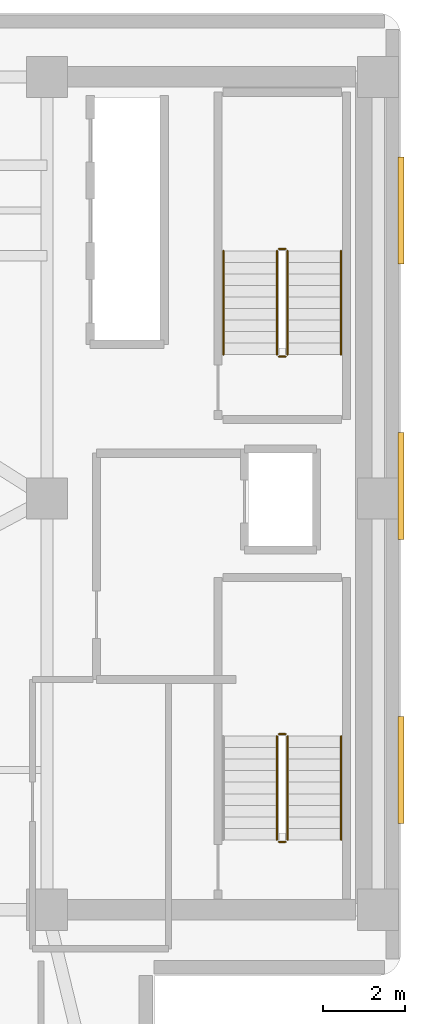
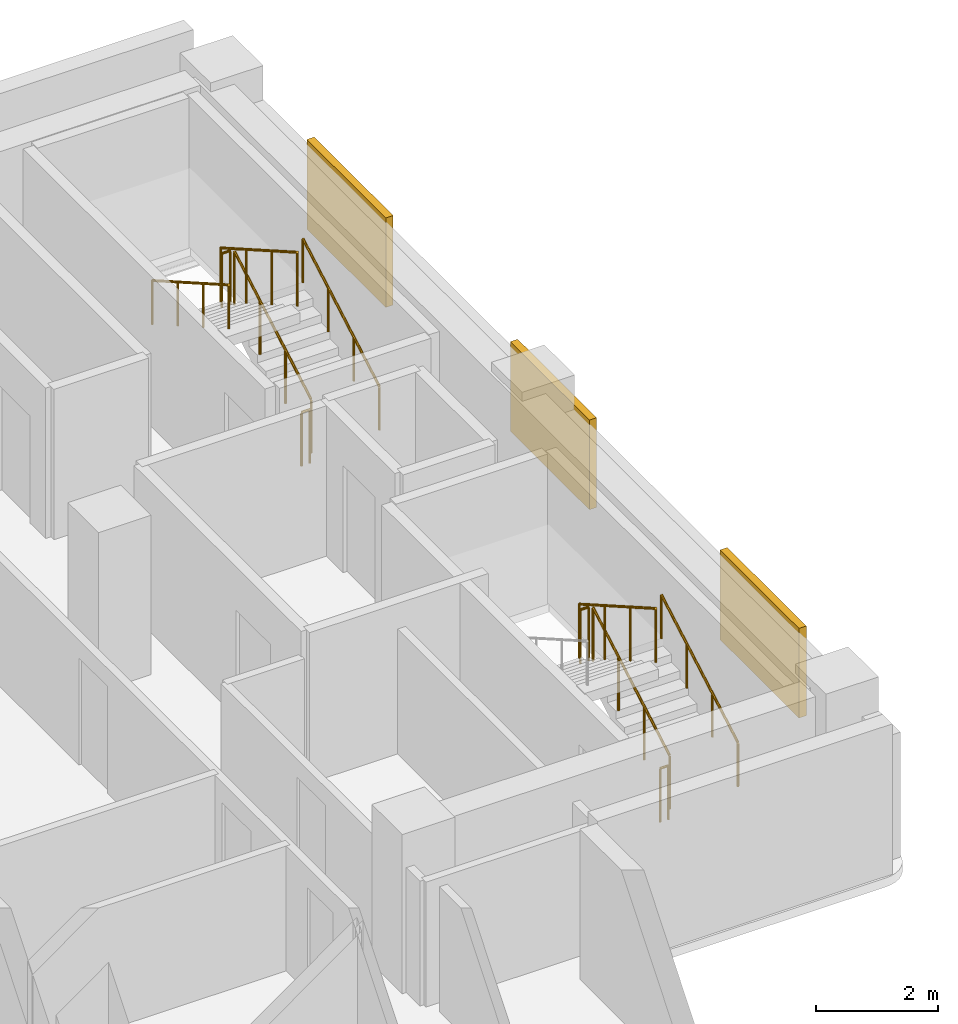
# One storey, part 17 of 17: 11 railings, 3 shading devices.
"""IFC4 building model written with IfcOpenShell, lengths in metres."""

import ifcopenshell
import ifcopenshell.guid

model = None  # the IFC model being written
_history = None  # IfcOwnerHistory: only IFC2X3 demands one
_inside = {}  # id of a spatial element -> (the spatial element, [elements in it])
_under = {}  # id of a project, library or spatial element -> (it, [spatial elements below it])
_declared = {}  # id of a project -> (the project, [libraries it declares])
_typed = {}  # id of a type object -> (the type object, [elements of that type])
_made_of = {}  # id of a material, layer set ... -> (it, [elements and type objects made of it])


def new_model(schema):
    """Start an empty IFC model of exactly this schema.

    Asked for "IFC4X3", IfcOpenShell would pick the latest addendum, in which some entities
    have other attributes; the version numbers below select the first issue.
    IFC2X3 requires an IfcOwnerHistory on every rooted entity: one is made here for all.
    """
    global model, _history
    if schema == "IFC4X3":
        model = ifcopenshell.file(schema_version=(4, 3, 0, 0))
    else:
        model = ifcopenshell.file(schema=schema)
    _inside.clear()
    _under.clear()
    _declared.clear()
    _typed.clear()
    _made_of.clear()
    _history = None
    if model.schema == "IFC2X3":
        org = make("IfcOrganization", Name="unknown")
        user = make(
            "IfcPersonAndOrganization",
            ThePerson=make("IfcPerson", FamilyName="unknown"),
            TheOrganization=org,
        )
        app = make(
            "IfcApplication",
            ApplicationDeveloper=org,
            Version="unknown",
            ApplicationFullName="unknown",
            ApplicationIdentifier="unknown",
        )
        _history = make(
            "IfcOwnerHistory",
            OwningUser=user,
            OwningApplication=app,
            ChangeAction="ADDED",
            CreationDate=0,
        )
    return model


def make(cls, **values):
    """One entity of the class cls with the attributes given. An attribute that is None is left unset."""
    return model.create_entity(
        cls, **{name: value for name, value in values.items() if value is not None}
    )


def rooted(cls, **values):
    """An entity with a GlobalId (a new one), such as an element, a storey or a relation."""
    return make(cls, GlobalId=ifcopenshell.guid.new(), OwnerHistory=_history, **values)


def si_unit(unit_type, name, prefix=None):
    """IfcSIUnit, for example si_unit("LENGTHUNIT", "METRE", prefix="MILLI")."""
    return make("IfcSIUnit", UnitType=unit_type, Prefix=prefix, Name=name)


def assignment(units):
    """IfcUnitAssignment: the units of a project."""
    return None if units is None else make("IfcUnitAssignment", Units=units)


def point(xyz):
    """IfcCartesianPoint."""
    return None if xyz is None else make("IfcCartesianPoint", Coordinates=xyz)


def direction(xyz):
    """IfcDirection."""
    return None if xyz is None else make("IfcDirection", DirectionRatios=xyz)


def frame(location, z_axis=None, x_axis=None):
    """IfcAxis2Placement3D, a coordinate frame: its origin and axes. An axis left out is left unset."""
    return make(
        "IfcAxis2Placement3D",
        Location=point(location),
        Axis=direction(z_axis),
        RefDirection=direction(x_axis),
    )


def frame_2d(location, x_axis=None):
    """IfcAxis2Placement2D, a coordinate frame in the plane: its origin and x axis."""
    return make(
        "IfcAxis2Placement2D", Location=point(location), RefDirection=direction(x_axis)
    )


def origin():
    """The frame at (0, 0, 0) with its axes left unset."""
    return frame((0.0, 0.0, 0.0))


def origin_2d():
    """The frame at (0, 0) in the plane with its x axis left unset."""
    return frame_2d((0.0, 0.0))


def place(relative_to, where):
    """IfcLocalPlacement: puts the frame where relative to a parent placement (None: the world)."""
    return make(
        "IfcLocalPlacement", PlacementRelTo=relative_to, RelativePlacement=where
    )


def context(
    kind, dimensions, precision=None, world=None, true_north=None, identifier=None
):
    """IfcGeometricRepresentationContext, for example the 3D "Model" context."""
    return make(
        "IfcGeometricRepresentationContext",
        ContextIdentifier=identifier,
        ContextType=kind,
        CoordinateSpaceDimension=dimensions,
        Precision=precision,
        WorldCoordinateSystem=world,
        TrueNorth=true_north,
    )


def subcontext(parent, identifier, kind, view, scale=None):
    """IfcGeometricRepresentationSubContext, for example "Body" below "Model"."""
    return make(
        "IfcGeometricRepresentationSubContext",
        ContextIdentifier=identifier,
        ContextType=kind,
        ParentContext=parent,
        TargetScale=scale,
        TargetView=view,
    )


def project(units=None, contexts=None):
    """IfcProject with its units and contexts."""
    return rooted(
        "IfcProject",
        Name="project",
        RepresentationContexts=contexts,
        UnitsInContext=assignment(units),
    )


def spatial(cls, under=None, at=None, **own):
    """A site, building, storey or space (cls), placed at a placement, below another one or the project."""
    s = rooted(cls, ObjectPlacement=at, **own)
    if under is not None:
        _under.setdefault(under.id(), (under, []))[1].append(s)
    return s


def profile(cls, at=None, kind="AREA", **sizes):
    """A parametric profile (cls). Its sizes go by their IFC names, for example OverallWidth=200.0."""
    return make(cls, ProfileType=kind, Position=at, **sizes)


def rectangle(**sizes):
    """IfcRectangleProfileDef."""
    return profile("IfcRectangleProfileDef", **sizes)


def circle(**sizes):
    """IfcCircleProfileDef."""
    return profile("IfcCircleProfileDef", **sizes)


def extrude(swept, where, along, depth):
    """IfcExtrudedAreaSolid: the profile swept, set in the frame where, extruded along a direction by depth."""
    return make(
        "IfcExtrudedAreaSolid",
        SweptArea=swept,
        Position=where,
        ExtrudedDirection=direction(along),
        Depth=depth,
    )


def shape(context_of_items, identifier, shape_type, items):
    """IfcShapeRepresentation: the items that make up one representation, for example the "Body"."""
    return make(
        "IfcShapeRepresentation",
        ContextOfItems=context_of_items,
        RepresentationIdentifier=identifier,
        RepresentationType=shape_type,
        Items=items,
    )


def material(Name=None, Category=None):
    """IfcMaterial."""
    return make("IfcMaterial", Name=Name, Category=Category)


def layer(
    of_material, thickness, ventilated=None, Name=None, Category=None, Priority=None
):
    """IfcMaterialLayer: one layer of a wall or slab, of a material (None: an air gap)."""
    return make(
        "IfcMaterialLayer",
        Material=of_material,
        LayerThickness=thickness,
        IsVentilated=ventilated,
        Name=Name,
        Category=Category,
        Priority=Priority,
    )


def layer_set(layers, Name=None):
    """IfcMaterialLayerSet."""
    return make("IfcMaterialLayerSet", MaterialLayers=layers, LayerSetName=Name)


def made_of(thing, what):
    """Note that an element or type object is made of a material, layer set ...; save() writes the relation."""
    if what is not None:
        _made_of.setdefault(what.id(), (what, []))[1].append(thing)
    return thing


def type_object(cls, material=None, **own):
    """A type object (cls), such as IfcWallType, which elements share."""
    return made_of(rooted(cls, **own), material)


def element(
    cls,
    number,
    at=None,
    inside=None,
    cuts=None,
    type_object=None,
    material=None,
    context=None,
    identifier="Body",
    shape_type=None,
    held_by="IfcProductDefinitionShape",
    body=None,
    shapes=None,
    **own,
):
    """One element of the class cls, such as IfcWall. Its Tag is "e" and its number.

    at: its placement. inside: the storey or other place that contains it. cuts: it is an
    opening in that element (IfcRelVoidsElement). A single representation is given by context,
    identifier, shape_type and body (its items); several are given by shapes. held_by: the class
    of the entity that holds the representations. save() writes the other relations.
    """
    e = rooted(cls, Tag="e%d" % number, ObjectPlacement=at, **own)
    if body is not None:
        shapes = [shape(context, identifier, shape_type, body)]
    if shapes is not None:
        e.Representation = make(held_by, Representations=shapes)
    if inside is not None:
        _inside.setdefault(inside.id(), (inside, []))[1].append(e)
    if cuts is not None:
        rooted(
            "IfcRelVoidsElement", RelatingBuildingElement=cuts, RelatedOpeningElement=e
        )
    if type_object is not None:
        _typed.setdefault(type_object.id(), (type_object, []))[1].append(e)
    return made_of(e, material)


def aggregate(whole, parts):
    """IfcRelAggregates: a whole, such as a stair, and the parts it consists of."""
    return rooted("IfcRelAggregates", RelatingObject=whole, RelatedObjects=parts)


def save(model, path):
    """Write the relations noted so far, then the file.

    IfcRelAggregates (storeys below a building ...), IfcRelContainedInSpatialStructure (elements
    in a storey), IfcRelDefinesByType, IfcRelAssociatesMaterial and IfcRelDeclares: one each for
    every whole, place, type object, material and project.
    """
    for whole, parts in _under.values():
        aggregate(whole, parts)
    for where, things in _inside.values():
        rooted(
            "IfcRelContainedInSpatialStructure",
            RelatedElements=things,
            RelatingStructure=where,
        )
    for kind, things in _typed.values():
        rooted("IfcRelDefinesByType", RelatedObjects=things, RelatingType=kind)
    for what, things in _made_of.values():
        rooted("IfcRelAssociatesMaterial", RelatedObjects=things, RelatingMaterial=what)
    for by, libraries in _declared.values():
        rooted("IfcRelDeclares", RelatingContext=by, RelatedDefinitions=libraries)
    model.write(path)


model = new_model("IFC4")

# Units and contexts
model_context = context("Model", 3, precision=1e-05, world=origin(), true_north=direction((0.0, 1.0)))
body_context = subcontext(model_context, "Body", "Model", "MODEL_VIEW")
ifc_project = project(units=[si_unit("LENGTHUNIT", "METRE"), si_unit("AREAUNIT", "SQUARE_METRE"), si_unit("VOLUMEUNIT", "CUBIC_METRE"), si_unit("PLANEANGLEUNIT", "RADIAN"), si_unit("MASSUNIT", "GRAM", prefix="KILO")], contexts=[model_context])

# Site, building, storey
site_placement = place(None, origin())
site = spatial("IfcSite", under=ifc_project, at=site_placement, CompositionType="ELEMENT")
building_placement = place(site_placement, origin())
building = spatial("IfcBuilding", under=site, at=building_placement, Name="Kuzgunbayir Cultural Tower", CompositionType="ELEMENT")
storey_placement = place(building_placement, frame((0.0, 0.0, 50.0)))
storey = spatial("IfcBuildingStorey", under=building, at=storey_placement, Name="L13", CompositionType="ELEMENT", Elevation=50.0)

# Railings
ifc_material_1 = material(Name="Brushed Stainless Steel", Category="steel")
ifc_layer_1 = layer(ifc_material_1, 0.050048828125)
ifc_layer_set_1 = layer_set([ifc_layer_1], Name="Brushed Stainless Steel")
railing_type_1 = type_object("IfcRailingType", Name="RLG-STAIR-HANDRAIL", PredefinedType="HANDRAIL", material=ifc_layer_set_1)
for number, where, name in (
    (1, (71.75, 23.699951171875, 0.159912109375), "L13 ST-3 stair handrail 1"),
    (2, (71.75, 35.5, 0.159912109375), "L13 ST-4 stair handrail 1"),
):
    element("IfcRailing", number, at=place(storey_placement, frame(where)), inside=storey, type_object=railing_type_1, Name=name, PredefinedType="HANDRAIL", context=body_context, shape_type="SweptSolid", body=[
        extrude(circle(Radius=0.02392578125, at=origin_2d()), frame((0.0, 0.0, 0.8759765625), z_axis=(0.0, 0.868217259934, 0.496184229447), x_axis=(-1.0, 0.0, 0.0)), (0.0, 0.0, 1.0), 2.902587890625),
        extrude(circle(Radius=0.02099609375, at=origin_2d()), origin(), (0.0, 0.0, 1.0), 0.851806640625),
        extrude(circle(Radius=0.02099609375, at=origin_2d()), frame((0.0, 0.840087890625, 0.47998046875)), (0.0, 0.0, 1.0), 0.851806640625),
        extrude(circle(Radius=0.02099609375, at=origin_2d()), frame((0.0, 1.679931640625, 0.960205078125)), (0.0, 0.0, 1.0), 0.851806640625),
        extrude(circle(Radius=0.02099609375, at=origin_2d()), frame((0.0, 2.52001953125, 1.440185546875)), (0.0, 0.0, 1.0), 0.851806640625),
    ])
railing_1_placement = place(storey_placement, frame((68.889892578125, 38.02001953125, 1.760009765625)))
element("IfcRailing", 3, at=railing_1_placement, inside=storey, type_object=railing_type_1, Name="L13 ST-4 stair handrail 2", PredefinedType="HANDRAIL", context=body_context, shape_type="SweptSolid", body=[
    extrude(circle(Radius=0.02392578125, at=origin_2d()), frame((0.0, 0.0, 0.8759765625), z_axis=(0.0, -0.868253494771, 0.496120820787), x_axis=(1.0, 0.0, 0.0)), (0.0, 0.0, 1.0), 2.90234375),
    extrude(circle(Radius=0.02099609375, at=origin_2d()), origin(), (0.0, 0.0, 1.0), 0.851806640625),
    extrude(circle(Radius=0.02099609375, at=origin_2d()), frame((0.0, -0.840087890625, 0.47998046875)), (0.0, 0.0, 1.0), 0.851806640625),
    extrude(circle(Radius=0.02099609375, at=origin_2d()), frame((0.0, -1.679931640625, 0.9599609375)), (0.0, 0.0, 1.0), 0.851806640625),
    extrude(circle(Radius=0.02099609375, at=origin_2d()), frame((0.0, -2.52001953125, 1.43994140625)), (0.0, 0.0, 1.0), 0.851806640625),
])
ifc_material_2 = material(Name="Painted Steel Balustrade", Category="steel")
ifc_layer_2 = layer(ifc_material_2, 0.06005859375)
ifc_layer_set_2 = layer_set([ifc_layer_2], Name="Painted Steel Balustrade")
railing_type_2 = type_object("IfcRailingType", Name="RLG-WELL-GUARD", PredefinedType="GUARDRAIL", material=ifc_layer_set_2)
railing_2_placement = place(storey_placement, frame((70.449951171875, 23.699951171875, 0.159912109375)))
element("IfcRailing", 4, at=railing_2_placement, inside=storey, type_object=railing_type_2, Name="L13 ST-3 stair guard 1", PredefinedType="GUARDRAIL", context=body_context, shape_type="SweptSolid", body=[
    extrude(circle(Radius=0.02392578125, at=origin_2d()), frame((0.0, 0.0, 1.076171875), z_axis=(0.0, 0.868217259934, 0.496184229447), x_axis=(-1.0, 0.0, 0.0)), (0.0, 0.0, 1.0), 2.902587890625),
    extrude(circle(Radius=0.02099609375, at=origin_2d()), origin(), (0.0, 0.0, 1.0), 1.052001953125),
    extrude(circle(Radius=0.02099609375, at=origin_2d()), frame((0.0, 0.840087890625, 0.47998046875)), (0.0, 0.0, 1.0), 1.052001953125),
    extrude(circle(Radius=0.02099609375, at=origin_2d()), frame((0.0, 1.679931640625, 0.960205078125)), (0.0, 0.0, 1.0), 1.052001953125),
    extrude(circle(Radius=0.02099609375, at=origin_2d()), frame((0.0, 2.52001953125, 1.440185546875)), (0.0, 0.0, 1.0), 1.052001953125),
])
railing_3_placement = place(storey_placement, frame((70.39990234375, 26.27001953125, 1.60009765625)))
element("IfcRailing", 5, at=railing_3_placement, inside=storey, type_object=railing_type_2, Name="L13 ST-3 stair guard 2", PredefinedType="GUARDRAIL", context=body_context, shape_type="SweptSolid", body=[
    extrude(circle(Radius=0.02392578125, at=origin_2d()), frame((0.0, 0.0, 1.076171875), z_axis=(-1.0, 0.0, 0.0), x_axis=(0.0, -1.0, 0.0)), (0.0, 0.0, 1.0), 0.159912109375),
    extrude(circle(Radius=0.02099609375, at=origin_2d()), origin(), (0.0, 0.0, 1.0), 1.052001953125),
    extrude(circle(Radius=0.02099609375, at=origin_2d()), frame((-0.159912109375, 0.0, 0.0)), (0.0, 0.0, 1.0), 1.052001953125),
])
railing_4_placement = place(storey_placement, frame((70.18994140625, 26.219970703125, 1.760009765625)))
element("IfcRailing", 6, at=railing_4_placement, inside=storey, type_object=railing_type_2, Name="L13 ST-3 stair guard 3", PredefinedType="GUARDRAIL", context=body_context, shape_type="SweptSolid", body=[
    extrude(circle(Radius=0.02392578125, at=origin_2d()), frame((0.0, 0.0, 1.076171875), z_axis=(0.0, -0.868253494771, 0.496120820787), x_axis=(1.0, 0.0, 0.0)), (0.0, 0.0, 1.0), 2.90234375),
    extrude(circle(Radius=0.02099609375, at=origin_2d()), origin(), (0.0, 0.0, 1.0), 1.052001953125),
    extrude(circle(Radius=0.02099609375, at=origin_2d()), frame((0.0, -0.840087890625, 0.47998046875)), (0.0, 0.0, 1.0), 1.052001953125),
    extrude(circle(Radius=0.02099609375, at=origin_2d()), frame((0.0, -1.679931640625, 0.9599609375)), (0.0, 0.0, 1.0), 1.052001953125),
    extrude(circle(Radius=0.02099609375, at=origin_2d()), frame((0.0, -2.52001953125, 1.43994140625)), (0.0, 0.0, 1.0), 1.052001953125),
])
railing_5_placement = place(storey_placement, frame((70.39990234375, 23.64990234375, 0.0)))
element("IfcRailing", 7, at=railing_5_placement, inside=storey, type_object=railing_type_2, Name="L13 ST-3 stair guard 4", PredefinedType="GUARDRAIL", context=body_context, shape_type="SweptSolid", body=[
    extrude(circle(Radius=0.02392578125, at=origin_2d()), frame((0.0, 0.0, 1.076171875), z_axis=(-1.0, 0.0, 0.0), x_axis=(0.0, -1.0, 0.0)), (0.0, 0.0, 1.0), 0.159912109375),
    extrude(circle(Radius=0.02099609375, at=origin_2d()), origin(), (0.0, 0.0, 1.0), 1.052001953125),
    extrude(circle(Radius=0.02099609375, at=origin_2d()), frame((-0.159912109375, 0.0, 0.0)), (0.0, 0.0, 1.0), 1.052001953125),
])
railing_6_placement = place(storey_placement, frame((70.449951171875, 35.5, 0.159912109375)))
element("IfcRailing", 8, at=railing_6_placement, inside=storey, type_object=railing_type_2, Name="L13 ST-4 stair guard 1", PredefinedType="GUARDRAIL", context=body_context, shape_type="SweptSolid", body=[
    extrude(circle(Radius=0.02392578125, at=origin_2d()), frame((0.0, 0.0, 1.076171875), z_axis=(0.0, 0.868217259934, 0.496184229447), x_axis=(-1.0, 0.0, 0.0)), (0.0, 0.0, 1.0), 2.902587890625),
    extrude(circle(Radius=0.02099609375, at=origin_2d()), origin(), (0.0, 0.0, 1.0), 1.052001953125),
    extrude(circle(Radius=0.02099609375, at=origin_2d()), frame((0.0, 0.840087890625, 0.47998046875)), (0.0, 0.0, 1.0), 1.052001953125),
    extrude(circle(Radius=0.02099609375, at=origin_2d()), frame((0.0, 1.679931640625, 0.960205078125)), (0.0, 0.0, 1.0), 1.052001953125),
    extrude(circle(Radius=0.02099609375, at=origin_2d()), frame((0.0, 2.52001953125, 1.440185546875)), (0.0, 0.0, 1.0), 1.052001953125),
])
railing_7_placement = place(storey_placement, frame((70.39990234375, 38.070068359375, 1.60009765625)))
element("IfcRailing", 9, at=railing_7_placement, inside=storey, type_object=railing_type_2, Name="L13 ST-4 stair guard 2", PredefinedType="GUARDRAIL", context=body_context, shape_type="SweptSolid", body=[
    extrude(circle(Radius=0.02392578125, at=origin_2d()), frame((0.0, 0.0, 1.076171875), z_axis=(-1.0, 0.0, 0.0), x_axis=(0.0, -1.0, 0.0)), (0.0, 0.0, 1.0), 0.159912109375),
    extrude(circle(Radius=0.02099609375, at=origin_2d()), origin(), (0.0, 0.0, 1.0), 1.052001953125),
    extrude(circle(Radius=0.02099609375, at=origin_2d()), frame((-0.159912109375, 0.0, 0.0)), (0.0, 0.0, 1.0), 1.052001953125),
])
railing_8_placement = place(storey_placement, frame((70.18994140625, 38.02001953125, 1.760009765625)))
element("IfcRailing", 10, at=railing_8_placement, inside=storey, type_object=railing_type_2, Name="L13 ST-4 stair guard 3", PredefinedType="GUARDRAIL", context=body_context, shape_type="SweptSolid", body=[
    extrude(circle(Radius=0.02392578125, at=origin_2d()), frame((0.0, 0.0, 1.076171875), z_axis=(0.0, -0.868253494771, 0.496120820787), x_axis=(1.0, 0.0, 0.0)), (0.0, 0.0, 1.0), 2.90234375),
    extrude(circle(Radius=0.02099609375, at=origin_2d()), origin(), (0.0, 0.0, 1.0), 1.052001953125),
    extrude(circle(Radius=0.02099609375, at=origin_2d()), frame((0.0, -0.840087890625, 0.47998046875)), (0.0, 0.0, 1.0), 1.052001953125),
    extrude(circle(Radius=0.02099609375, at=origin_2d()), frame((0.0, -1.679931640625, 0.9599609375)), (0.0, 0.0, 1.0), 1.052001953125),
    extrude(circle(Radius=0.02099609375, at=origin_2d()), frame((0.0, -2.52001953125, 1.43994140625)), (0.0, 0.0, 1.0), 1.052001953125),
])
railing_9_placement = place(storey_placement, frame((70.39990234375, 35.449951171875, 0.0)))
element("IfcRailing", 11, at=railing_9_placement, inside=storey, type_object=railing_type_2, Name="L13 ST-4 stair guard 4", PredefinedType="GUARDRAIL", context=body_context, shape_type="SweptSolid", body=[
    extrude(circle(Radius=0.02392578125, at=origin_2d()), frame((0.0, 0.0, 1.076171875), z_axis=(-1.0, 0.0, 0.0), x_axis=(0.0, -1.0, 0.0)), (0.0, 0.0, 1.0), 0.159912109375),
    extrude(circle(Radius=0.02099609375, at=origin_2d()), origin(), (0.0, 0.0, 1.0), 1.052001953125),
    extrude(circle(Radius=0.02099609375, at=origin_2d()), frame((-0.159912109375, 0.0, 0.0)), (0.0, 0.0, 1.0), 1.052001953125),
])

# Shading devices
ifc_material_3 = material(Name="Perforated Bronze-Anodised Aluminium", Category="aluminium")
shading_device_type = type_object("IfcShadingDeviceType", Name="SHD-SOLAR-BRONZE", PredefinedType="JALOUSIE", material=ifc_material_3)
for number, where, z_axis, x_axis, name in (
    (12, (73.2099609375, 25.39990234375, 0.7998046875), (0.0, 0.0, 1.0), (1.0, 0.0, 0.0), "L13 Companion East Bronze Solar Screen 25"),
    (13, (73.2099609375, 32.300048828125, 0.7998046875), (0.0, 0.0, 1.0), (1.0, 0.0, 0.0), "L13 Companion East Bronze Solar Screen 32"),
    (14, (73.2099609375, 39.0, 0.7998046875), (0.0, 0.0, 1.0), (1.0, 0.0, 0.0), "L13 Companion East Bronze Solar Screen 39"),
):
    element("IfcShadingDevice", number, at=place(storey_placement, frame(where, z_axis=z_axis, x_axis=x_axis)), inside=storey, type_object=shading_device_type, Name=name, PredefinedType="JALOUSIE", context=body_context, shape_type="SweptSolid", body=[
        extrude(rectangle(XDim=0.139892578125, YDim=2.60009765625, at=origin_2d()), origin(), (0.0, 0.0, 1.0), 1.800048828125),
    ])

save(model, "model.ifc")
